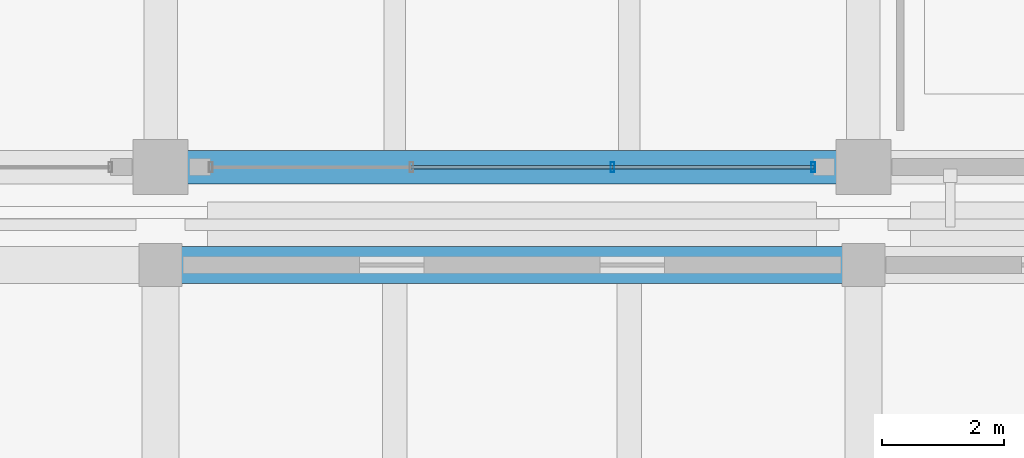
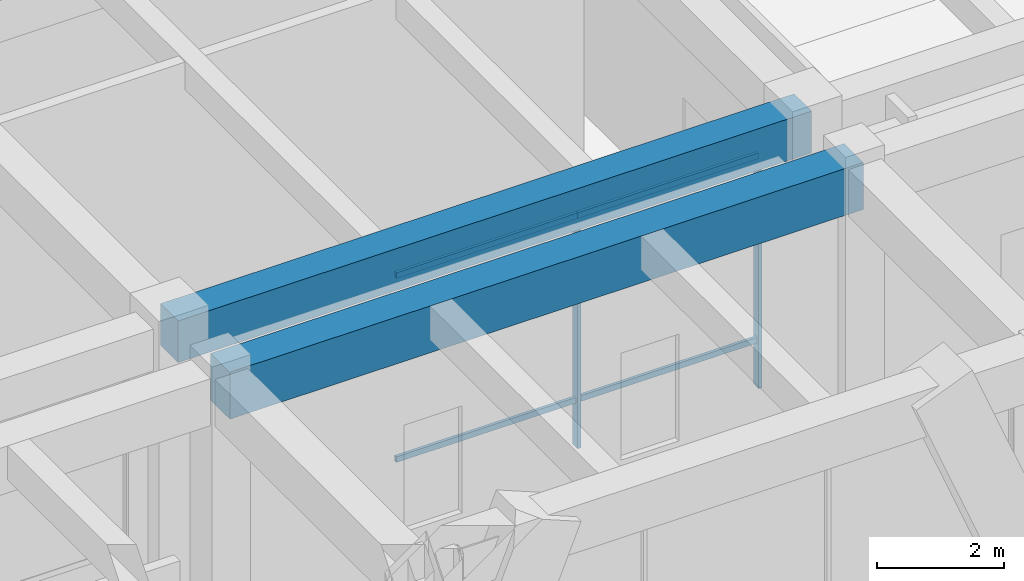
# One storey, part 104 of 148: 6 members, 2 beams, 1 element without a shape of its own.
"""IFC4 building model written with IfcOpenShell, lengths in metres."""

from ifc_helpers import new_model, si_unit, direction, frame, origin, origin_2d, place, context, subcontext, project, spatial, rectangle, hollow_rectangle, extrude, material, material_profile, profile_set, type_object, element, aggregate, save


model = new_model("IFC4")

# Units and contexts
model_context = context("Model", 3, precision=1e-05, world=origin(), true_north=direction((0.0, 1.0)))
body_context = subcontext(model_context, "Body", "Model", "MODEL_VIEW")
ifc_project = project(units=[si_unit("LENGTHUNIT", "METRE"), si_unit("AREAUNIT", "SQUARE_METRE"), si_unit("VOLUMEUNIT", "CUBIC_METRE"), si_unit("PLANEANGLEUNIT", "RADIAN"), si_unit("MASSUNIT", "GRAM", prefix="KILO")], contexts=[model_context])

# Site, building, storey
site_placement = place(None, origin())
site = spatial("IfcSite", under=ifc_project, at=site_placement, CompositionType="ELEMENT")
building_placement = place(site_placement, origin())
building = spatial("IfcBuilding", under=site, at=building_placement, Name="Ologun Quay Terminus", CompositionType="ELEMENT")
storey_placement = place(building_placement, frame((0.0, 0.0, 8.39990234375)))
storey = spatial("IfcBuildingStorey", under=building, at=storey_placement, Name="L02", CompositionType="ELEMENT", Elevation=8.39990234375)

# Curtain wall, members
ifc_material_1 = material(Name="Aluminium 6063-T6", Category="aluminium")
curtain_wall_type = type_object("IfcCurtainWallType", Name="Waterfront Pavilion Harbour Curtain Wall L02 10500x5000", PredefinedType="USERDEFINED", material=ifc_material_1)
curtain_wall_placement = place(storey_placement, origin())
curtain_wall = element("IfcCurtainWall", 1, at=curtain_wall_placement, inside=storey, type_object=curtain_wall_type, Name="CW-24 Curtain Wall CW-L02-132", ObjectType="UNITISED CURTAIN WALL", PredefinedType="USERDEFINED")
ifc_material_2 = material(Name="Aluminium 6063-T6", Category="aluminium")
ifc_material_profile_1 = material_profile(ifc_material_2, hollow_rectangle(XDim=0.06005859375, YDim=0.159912109375, WallThickness=0.00390625, at=origin_2d()), Name="ALU 160x60x4")
ifc_profile_set_1 = profile_set([ifc_material_profile_1], Name="Aluminium 6063-T6")
member_type_1 = type_object("IfcMemberType", Name="Courtyard Screen Mullion 160x65", PredefinedType="MULLION", material=ifc_profile_set_1)
member_1_placement = place(storey_placement, frame((145.393310546875, 85.800048828125, 0.0), z_axis=(0.0, 0.0, 1.0), x_axis=(1.0, 0.0, 0.0)))
member_1 = element("IfcMember", 2, at=member_1_placement, type_object=member_type_1, Name="CW-L02-132 Mullion 3", PredefinedType="MULLION", context=body_context, shape_type="SweptSolid", body=[
    extrude(hollow_rectangle(XDim=0.06005859375, YDim=0.159912109375, WallThickness=0.00390625, at=origin_2d()), origin(), (0.0, 0.0, 1.0), 5.130126953125),
])
member_2_placement = place(storey_placement, frame((148.679931640625, 85.800048828125, 0.0), z_axis=(0.0, 0.0, 1.0), x_axis=(1.0, 0.0, 0.0)))
member_2 = element("IfcMember", 3, at=member_2_placement, type_object=member_type_1, Name="CW-L02-132 Mullion 4", PredefinedType="MULLION", context=body_context, shape_type="SweptSolid", body=[
    extrude(hollow_rectangle(XDim=0.06005859375, YDim=0.159912109375, WallThickness=0.00390625, at=origin_2d()), origin(), (0.0, 0.0, 1.0), 5.130126953125),
])
ifc_material_3 = material(Name="Aluminium 6063-T6", Category="aluminium")
ifc_material_profile_2 = material_profile(ifc_material_3, hollow_rectangle(XDim=0.054931640625, YDim=0.110107421875, WallThickness=0.00390625, at=origin_2d()), Name="ALU 110x55x4")
ifc_profile_set_2 = profile_set([ifc_material_profile_2], Name="Aluminium 6063-T6")
member_type_2 = type_object("IfcMemberType", Name="Courtyard Screen Transom 110x55", PredefinedType="USERDEFINED", material=ifc_profile_set_2)
member_3_placement = place(storey_placement, frame((142.106689453125, 85.800048828125, 0.900146484375), z_axis=(1.0, 0.0, 0.0), x_axis=(0.0, 1.0, 0.0)))
member_3 = element("IfcMember", 4, at=member_3_placement, type_object=member_type_2, Name="CW-L02-132 Transom B2-1", ObjectType="TRANSOM", PredefinedType="USERDEFINED", context=body_context, shape_type="SweptSolid", body=[
    extrude(hollow_rectangle(XDim=0.054931640625, YDim=0.110107421875, WallThickness=0.00390625, at=origin_2d()), origin(), (0.0, 0.0, 1.0), 3.28662109375),
])
member_4_placement = place(storey_placement, frame((142.106689453125, 85.800048828125, 4.43017578125), z_axis=(1.0, 0.0, 0.0), x_axis=(0.0, 1.0, 0.0)))
member_4 = element("IfcMember", 5, at=member_4_placement, type_object=member_type_2, Name="CW-L02-132 Transom B2-2", ObjectType="TRANSOM", PredefinedType="USERDEFINED", context=body_context, shape_type="SweptSolid", body=[
    extrude(hollow_rectangle(XDim=0.054931640625, YDim=0.110107421875, WallThickness=0.00390625, at=origin_2d()), origin(), (0.0, 0.0, 1.0), 3.28662109375),
])
member_5_placement = place(storey_placement, frame((145.393310546875, 85.800048828125, 0.900146484375), z_axis=(1.0, 0.0, 0.0), x_axis=(0.0, 1.0, 0.0)))
member_5 = element("IfcMember", 6, at=member_5_placement, type_object=member_type_2, Name="CW-L02-132 Transom B3-1", ObjectType="TRANSOM", PredefinedType="USERDEFINED", context=body_context, shape_type="SweptSolid", body=[
    extrude(hollow_rectangle(XDim=0.054931640625, YDim=0.110107421875, WallThickness=0.00390625, at=origin_2d()), origin(), (0.0, 0.0, 1.0), 3.28662109375),
])
member_6_placement = place(storey_placement, frame((145.393310546875, 85.800048828125, 4.43017578125), z_axis=(1.0, 0.0, 0.0), x_axis=(0.0, 1.0, 0.0)))
member_6 = element("IfcMember", 7, at=member_6_placement, type_object=member_type_2, Name="CW-L02-132 Transom B3-2", ObjectType="TRANSOM", PredefinedType="USERDEFINED", context=body_context, shape_type="SweptSolid", body=[
    extrude(hollow_rectangle(XDim=0.054931640625, YDim=0.110107421875, WallThickness=0.00390625, at=origin_2d()), origin(), (0.0, 0.0, 1.0), 3.28662109375),
])
aggregate(curtain_wall, [member_1, member_2, member_3, member_4, member_5, member_6])

# Beams
ifc_material_4 = material(Name="Concrete C40/50", Category="concrete")
ifc_material_profile_3 = material_profile(ifc_material_4, rectangle(XDim=0.550048828125, YDim=0.800048828125, at=origin_2d()), Name="RC 550x800")
ifc_profile_set_3 = profile_set([ifc_material_profile_3], Name="Concrete C40/50")
beam_type_1 = type_object("IfcBeamType", Name="Courtyard Wing Primary Girder 550x800", PredefinedType="BEAM", material=ifc_profile_set_3)
beam_1_placement = place(storey_placement, frame((138.0, 85.800048828125, 4.75), z_axis=(1.0, 0.0, 0.0), x_axis=(0.0, 1.0, 0.0)))
element("IfcBeam", 8, at=beam_1_placement, inside=storey, type_object=beam_type_1, Name="B4 Beam 13/G2 L02", PredefinedType="BEAM", context=body_context, shape_type="SweptSolid", body=[
    extrude(rectangle(XDim=0.550048828125, YDim=0.800048828125, at=origin_2d()), origin(), (0.0, 0.0, 1.0), 11.5),
])
ifc_material_5 = material(Name="Concrete C40/50", Category="concrete")
ifc_material_profile_4 = material_profile(ifc_material_5, rectangle(XDim=0.60009765625, YDim=0.89990234375, at=origin_2d()), Name="RC 600x900")
ifc_profile_set_4 = profile_set([ifc_material_profile_4], Name="Concrete C40/50")
beam_type_2 = type_object("IfcBeamType", Name="Station Frame Girder 600x900", PredefinedType="BEAM", material=ifc_profile_set_4)
beam_2_placement = place(storey_placement, frame((138.0, 84.199951171875, 4.7001953125), z_axis=(1.0, 0.0, 0.0), x_axis=(0.0, 1.0, 0.0)))
element("IfcBeam", 9, at=beam_2_placement, inside=storey, type_object=beam_type_2, Name="B3 Beam 13/G1 L02", PredefinedType="BEAM", context=body_context, shape_type="SweptSolid", body=[
    extrude(rectangle(XDim=0.60009765625, YDim=0.89990234375, at=origin_2d()), origin(), (0.0, 0.0, 1.0), 11.5),
])

save(model, "model.ifc")
